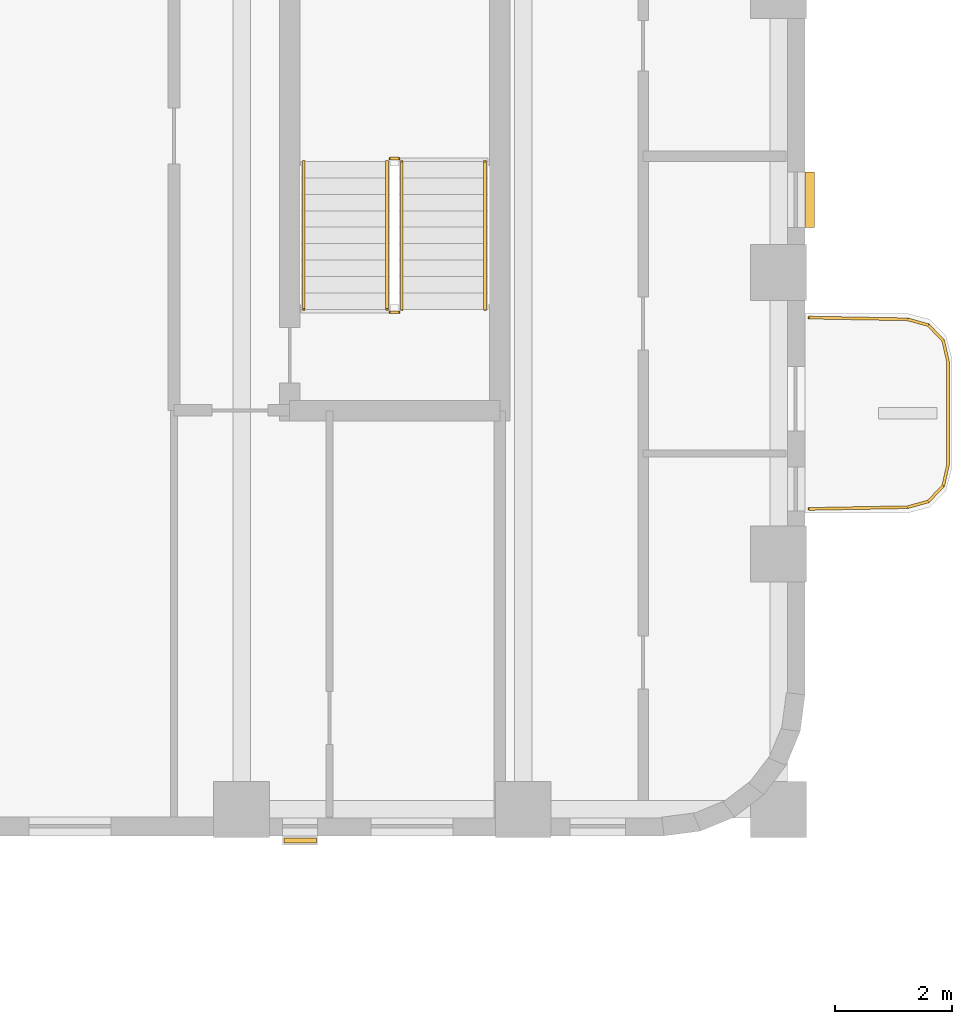
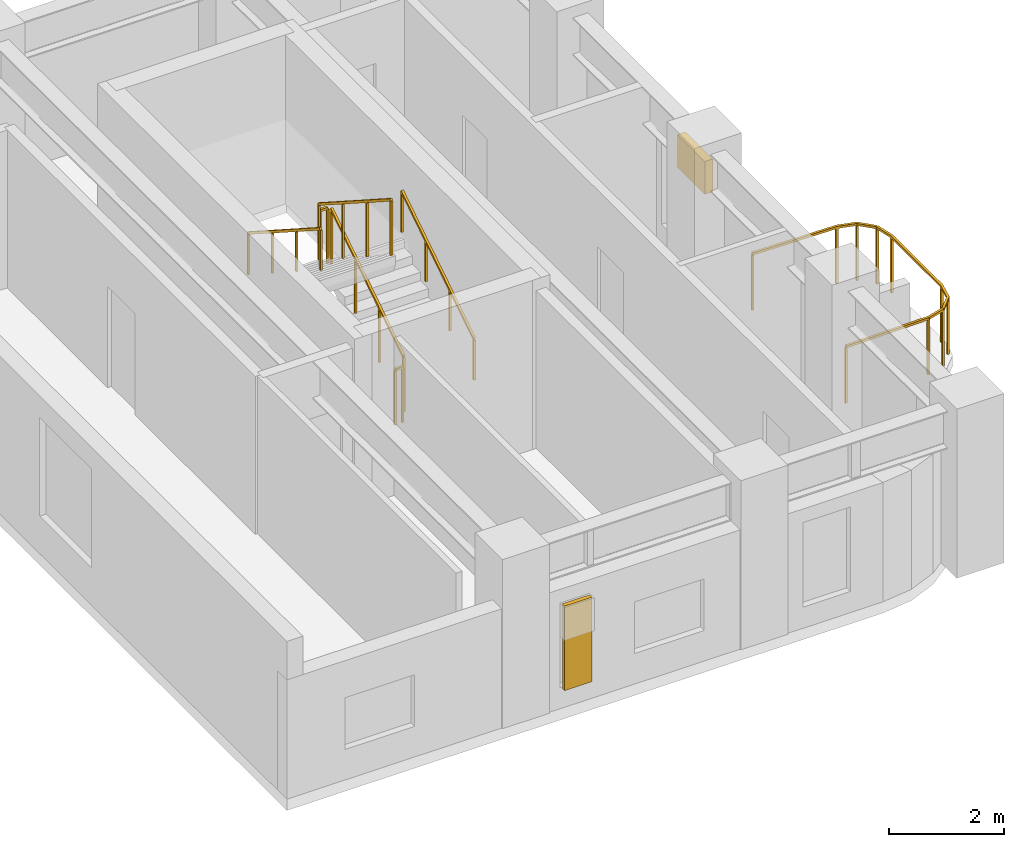
# One storey, part 8 of 9: 7 railings, 2 shading devices.
"""IFC4 building model written with IfcOpenShell, lengths in metres."""

import ifcopenshell
import ifcopenshell.guid

model = None  # the IFC model being written
_history = None  # IfcOwnerHistory: only IFC2X3 demands one
_inside = {}  # id of a spatial element -> (the spatial element, [elements in it])
_under = {}  # id of a project, library or spatial element -> (it, [spatial elements below it])
_declared = {}  # id of a project -> (the project, [libraries it declares])
_typed = {}  # id of a type object -> (the type object, [elements of that type])
_made_of = {}  # id of a material, layer set ... -> (it, [elements and type objects made of it])


def new_model(schema):
    """Start an empty IFC model of exactly this schema.

    Asked for "IFC4X3", IfcOpenShell would pick the latest addendum, in which some entities
    have other attributes; the version numbers below select the first issue.
    IFC2X3 requires an IfcOwnerHistory on every rooted entity: one is made here for all.
    """
    global model, _history
    if schema == "IFC4X3":
        model = ifcopenshell.file(schema_version=(4, 3, 0, 0))
    else:
        model = ifcopenshell.file(schema=schema)
    _inside.clear()
    _under.clear()
    _declared.clear()
    _typed.clear()
    _made_of.clear()
    _history = None
    if model.schema == "IFC2X3":
        org = make("IfcOrganization", Name="unknown")
        user = make(
            "IfcPersonAndOrganization",
            ThePerson=make("IfcPerson", FamilyName="unknown"),
            TheOrganization=org,
        )
        app = make(
            "IfcApplication",
            ApplicationDeveloper=org,
            Version="unknown",
            ApplicationFullName="unknown",
            ApplicationIdentifier="unknown",
        )
        _history = make(
            "IfcOwnerHistory",
            OwningUser=user,
            OwningApplication=app,
            ChangeAction="ADDED",
            CreationDate=0,
        )
    return model


def make(cls, **values):
    """One entity of the class cls with the attributes given. An attribute that is None is left unset."""
    return model.create_entity(
        cls, **{name: value for name, value in values.items() if value is not None}
    )


def rooted(cls, **values):
    """An entity with a GlobalId (a new one), such as an element, a storey or a relation."""
    return make(cls, GlobalId=ifcopenshell.guid.new(), OwnerHistory=_history, **values)


def si_unit(unit_type, name, prefix=None):
    """IfcSIUnit, for example si_unit("LENGTHUNIT", "METRE", prefix="MILLI")."""
    return make("IfcSIUnit", UnitType=unit_type, Prefix=prefix, Name=name)


def assignment(units):
    """IfcUnitAssignment: the units of a project."""
    return None if units is None else make("IfcUnitAssignment", Units=units)


def point(xyz):
    """IfcCartesianPoint."""
    return None if xyz is None else make("IfcCartesianPoint", Coordinates=xyz)


def direction(xyz):
    """IfcDirection."""
    return None if xyz is None else make("IfcDirection", DirectionRatios=xyz)


def frame(location, z_axis=None, x_axis=None):
    """IfcAxis2Placement3D, a coordinate frame: its origin and axes. An axis left out is left unset."""
    return make(
        "IfcAxis2Placement3D",
        Location=point(location),
        Axis=direction(z_axis),
        RefDirection=direction(x_axis),
    )


def frame_2d(location, x_axis=None):
    """IfcAxis2Placement2D, a coordinate frame in the plane: its origin and x axis."""
    return make(
        "IfcAxis2Placement2D", Location=point(location), RefDirection=direction(x_axis)
    )


def origin():
    """The frame at (0, 0, 0) with its axes left unset."""
    return frame((0.0, 0.0, 0.0))


def origin_2d():
    """The frame at (0, 0) in the plane with its x axis left unset."""
    return frame_2d((0.0, 0.0))


def place(relative_to, where):
    """IfcLocalPlacement: puts the frame where relative to a parent placement (None: the world)."""
    return make(
        "IfcLocalPlacement", PlacementRelTo=relative_to, RelativePlacement=where
    )


def context(
    kind, dimensions, precision=None, world=None, true_north=None, identifier=None
):
    """IfcGeometricRepresentationContext, for example the 3D "Model" context."""
    return make(
        "IfcGeometricRepresentationContext",
        ContextIdentifier=identifier,
        ContextType=kind,
        CoordinateSpaceDimension=dimensions,
        Precision=precision,
        WorldCoordinateSystem=world,
        TrueNorth=true_north,
    )


def subcontext(parent, identifier, kind, view, scale=None):
    """IfcGeometricRepresentationSubContext, for example "Body" below "Model"."""
    return make(
        "IfcGeometricRepresentationSubContext",
        ContextIdentifier=identifier,
        ContextType=kind,
        ParentContext=parent,
        TargetScale=scale,
        TargetView=view,
    )


def project(units=None, contexts=None):
    """IfcProject with its units and contexts."""
    return rooted(
        "IfcProject",
        Name="project",
        RepresentationContexts=contexts,
        UnitsInContext=assignment(units),
    )


def spatial(cls, under=None, at=None, **own):
    """A site, building, storey or space (cls), placed at a placement, below another one or the project."""
    s = rooted(cls, ObjectPlacement=at, **own)
    if under is not None:
        _under.setdefault(under.id(), (under, []))[1].append(s)
    return s


def profile(cls, at=None, kind="AREA", **sizes):
    """A parametric profile (cls). Its sizes go by their IFC names, for example OverallWidth=200.0."""
    return make(cls, ProfileType=kind, Position=at, **sizes)


def rectangle(**sizes):
    """IfcRectangleProfileDef."""
    return profile("IfcRectangleProfileDef", **sizes)


def extrude(swept, where, along, depth):
    """IfcExtrudedAreaSolid: the profile swept, set in the frame where, extruded along a direction by depth."""
    return make(
        "IfcExtrudedAreaSolid",
        SweptArea=swept,
        Position=where,
        ExtrudedDirection=direction(along),
        Depth=depth,
    )


def shape(context_of_items, identifier, shape_type, items):
    """IfcShapeRepresentation: the items that make up one representation, for example the "Body"."""
    return make(
        "IfcShapeRepresentation",
        ContextOfItems=context_of_items,
        RepresentationIdentifier=identifier,
        RepresentationType=shape_type,
        Items=items,
    )


def material(Name=None, Category=None):
    """IfcMaterial."""
    return make("IfcMaterial", Name=Name, Category=Category)


def made_of(thing, what):
    """Note that an element or type object is made of a material, layer set ...; save() writes the relation."""
    if what is not None:
        _made_of.setdefault(what.id(), (what, []))[1].append(thing)
    return thing


def type_object(cls, material=None, **own):
    """A type object (cls), such as IfcWallType, which elements share."""
    return made_of(rooted(cls, **own), material)


def element(
    cls,
    number,
    at=None,
    inside=None,
    cuts=None,
    type_object=None,
    material=None,
    context=None,
    identifier="Body",
    shape_type=None,
    held_by="IfcProductDefinitionShape",
    body=None,
    shapes=None,
    **own,
):
    """One element of the class cls, such as IfcWall. Its Tag is "e" and its number.

    at: its placement. inside: the storey or other place that contains it. cuts: it is an
    opening in that element (IfcRelVoidsElement). A single representation is given by context,
    identifier, shape_type and body (its items); several are given by shapes. held_by: the class
    of the entity that holds the representations. save() writes the other relations.
    """
    e = rooted(cls, Tag="e%d" % number, ObjectPlacement=at, **own)
    if body is not None:
        shapes = [shape(context, identifier, shape_type, body)]
    if shapes is not None:
        e.Representation = make(held_by, Representations=shapes)
    if inside is not None:
        _inside.setdefault(inside.id(), (inside, []))[1].append(e)
    if cuts is not None:
        rooted(
            "IfcRelVoidsElement", RelatingBuildingElement=cuts, RelatedOpeningElement=e
        )
    if type_object is not None:
        _typed.setdefault(type_object.id(), (type_object, []))[1].append(e)
    return made_of(e, material)


def aggregate(whole, parts):
    """IfcRelAggregates: a whole, such as a stair, and the parts it consists of."""
    return rooted("IfcRelAggregates", RelatingObject=whole, RelatedObjects=parts)


def save(model, path):
    """Write the relations noted so far, then the file.

    IfcRelAggregates (storeys below a building ...), IfcRelContainedInSpatialStructure (elements
    in a storey), IfcRelDefinesByType, IfcRelAssociatesMaterial and IfcRelDeclares: one each for
    every whole, place, type object, material and project.
    """
    for whole, parts in _under.values():
        aggregate(whole, parts)
    for where, things in _inside.values():
        rooted(
            "IfcRelContainedInSpatialStructure",
            RelatedElements=things,
            RelatingStructure=where,
        )
    for kind, things in _typed.values():
        rooted("IfcRelDefinesByType", RelatedObjects=things, RelatingType=kind)
    for what, things in _made_of.values():
        rooted("IfcRelAssociatesMaterial", RelatedObjects=things, RelatingMaterial=what)
    for by, libraries in _declared.values():
        rooted("IfcRelDeclares", RelatingContext=by, RelatedDefinitions=libraries)
    model.write(path)


model = new_model("IFC4")

# Units and contexts
model_context = context("Model", 3, precision=1e-05, world=origin(), true_north=direction((0.0, 1.0)))
body_context = subcontext(model_context, "Body", "Model", "MODEL_VIEW")
ifc_project = project(units=[si_unit("LENGTHUNIT", "METRE"), si_unit("AREAUNIT", "SQUARE_METRE"), si_unit("VOLUMEUNIT", "CUBIC_METRE"), si_unit("PLANEANGLEUNIT", "RADIAN"), si_unit("MASSUNIT", "GRAM", prefix="KILO")], contexts=[model_context])

# Site, building, storey
site_placement = place(None, origin())
site = spatial("IfcSite", under=ifc_project, at=site_placement, CompositionType="ELEMENT")
building_placement = place(site_placement, origin())
building = spatial("IfcBuilding", under=site, at=building_placement, Name="Orvandelia Arch Residences", CompositionType="ELEMENT")
storey_placement = place(building_placement, frame((0.0, 0.0, 186.39990234375)))
storey = spatial("IfcBuildingStorey", under=building, at=storey_placement, Name="L49", CompositionType="ELEMENT", Elevation=186.39990234375)

# Railings
ifc_material_1 = material(Name="Marine-Grade Stainless Steel 316", Category="steel")
railing_type_1 = type_object("IfcRailingType", Name="GRD-BAL-1200", PredefinedType="BALUSTRADE", material=ifc_material_1)
railing_1_placement = place(storey_placement, frame((52.871826171875, 34.36962890625, 0.0)))
element("IfcRailing", 1, at=railing_1_placement, inside=storey, type_object=railing_type_1, Name="Safety Balustrade Guard GRD-L49-BAL-L49-E1-1", PredefinedType="BALUSTRADE", context=body_context, shape_type="SweptSolid", body=[
    extrude(rectangle(XDim=0.048095703125, YDim=0.048095703125, at=origin_2d()), frame((0.0, 0.0, 1.19580078125), z_axis=(0.999837384468, 0.018033430643, 0.0), x_axis=(-0.018033430643, 0.999837384468, 0.0)), (0.0, 0.0, 1.0), 1.6787109375),
    extrude(rectangle(XDim=0.048095703125, YDim=0.048095703125, at=origin_2d()), frame((1.678466796875, 0.0302734375, 1.19580078125), z_axis=(0.96348920644, 0.267747173792, 0.0), x_axis=(-0.267747173792, 0.96348920644, 0.0)), (0.0, 0.0, 1.0), 0.36572265625),
    extrude(rectangle(XDim=0.048095703125, YDim=0.048095703125, at=origin_2d()), frame((2.03076171875, 0.128173828125, 1.19580078125), z_axis=(0.687947031175, 0.725760898848, 0.0), x_axis=(-0.725760898848, 0.687947031175, 0.0)), (0.0, 0.0, 1.0), 0.367919921875),
    extrude(rectangle(XDim=0.048095703125, YDim=0.048095703125, at=origin_2d()), frame((2.283935546875, 0.395263671875, 1.19580078125), z_axis=(0.221225034864, 0.975222786828, 0.0), x_axis=(-0.975222786828, 0.221225034864, 0.0)), (0.0, 0.0, 1.0), 0.373046875),
    extrude(rectangle(XDim=0.048095703125, YDim=0.048095703125, at=origin_2d()), frame((2.366455078125, 0.759033203125, 1.19580078125), z_axis=(0.0, 1.0, 0.0), x_axis=(-1.0, 0.0, 0.0)), (0.0, 0.0, 1.0), 1.74267578125),
    extrude(rectangle(XDim=0.048095703125, YDim=0.048095703125, at=origin_2d()), frame((2.366455078125, 2.501708984375, 1.19580078125), z_axis=(-0.221225034864, 0.975222786828, 0.0), x_axis=(-0.975222786828, -0.221225034864, 0.0)), (0.0, 0.0, 1.0), 0.373046875),
    extrude(rectangle(XDim=0.048095703125, YDim=0.048095703125, at=origin_2d()), frame((2.283935546875, 2.865478515625, 1.19580078125), z_axis=(-0.687947031175, 0.725760898848, 0.0), x_axis=(-0.725760898848, -0.687947031175, 0.0)), (0.0, 0.0, 1.0), 0.367919921875),
    extrude(rectangle(XDim=0.048095703125, YDim=0.048095703125, at=origin_2d()), frame((2.03076171875, 3.132568359375, 1.19580078125), z_axis=(-0.96348920644, 0.267747173792, 0.0), x_axis=(-0.267747173792, -0.96348920644, 0.0)), (0.0, 0.0, 1.0), 0.36572265625),
    extrude(rectangle(XDim=0.048095703125, YDim=0.048095703125, at=origin_2d()), frame((1.678466796875, 3.23046875, 1.19580078125), z_axis=(-0.999837384468, 0.018033430643, 0.0), x_axis=(-0.018033430643, -0.999837384468, 0.0)), (0.0, 0.0, 1.0), 1.6787109375),
    extrude(rectangle(XDim=0.0419921875, YDim=0.0419921875, at=origin_2d()), origin(), (0.0, 0.0, 1.0), 1.171875),
    extrude(rectangle(XDim=0.0419921875, YDim=0.0419921875, at=origin_2d()), frame((1.678466796875, 0.0302734375, 0.0)), (0.0, 0.0, 1.0), 1.171875),
    extrude(rectangle(XDim=0.0419921875, YDim=0.0419921875, at=origin_2d()), frame((2.03076171875, 0.128173828125, 0.0)), (0.0, 0.0, 1.0), 1.171875),
    extrude(rectangle(XDim=0.0419921875, YDim=0.0419921875, at=origin_2d()), frame((2.283935546875, 0.395263671875, 0.0)), (0.0, 0.0, 1.0), 1.171875),
    extrude(rectangle(XDim=0.0419921875, YDim=0.0419921875, at=origin_2d()), frame((2.366455078125, 0.759033203125, 0.0)), (0.0, 0.0, 1.0), 1.171875),
    extrude(rectangle(XDim=0.0419921875, YDim=0.0419921875, at=origin_2d()), frame((2.366455078125, 2.501708984375, 0.0)), (0.0, 0.0, 1.0), 1.171875),
    extrude(rectangle(XDim=0.0419921875, YDim=0.0419921875, at=origin_2d()), frame((2.283935546875, 2.865478515625, 0.0)), (0.0, 0.0, 1.0), 1.171875),
    extrude(rectangle(XDim=0.0419921875, YDim=0.0419921875, at=origin_2d()), frame((2.03076171875, 3.132568359375, 0.0)), (0.0, 0.0, 1.0), 1.171875),
    extrude(rectangle(XDim=0.0419921875, YDim=0.0419921875, at=origin_2d()), frame((1.678466796875, 3.23046875, 0.0)), (0.0, 0.0, 1.0), 1.171875),
    extrude(rectangle(XDim=0.0419921875, YDim=0.0419921875, at=origin_2d()), frame((0.0, 3.2607421875, 0.0)), (0.0, 0.0, 1.0), 1.171875),
])
ifc_material_2 = material(Name="Brushed Stainless Steel 304", Category="steel")
railing_type_2 = type_object("IfcRailingType", Name="RL-STAIR-GD1120", PredefinedType="GUARDRAIL", material=ifc_material_2)
railing_2_placement = place(storey_placement, frame((45.929931640625, 37.77001953125, 0.18017578125)))
element("IfcRailing", 2, at=railing_2_placement, inside=storey, type_object=railing_type_2, Name="L49 ST-3 stair guard 1", PredefinedType="GUARDRAIL", context=body_context, shape_type="SweptSolid", body=[
    extrude(rectangle(XDim=0.048095703125, YDim=0.048095703125, at=origin_2d()), frame((0.0, 0.0, 1.17578125), z_axis=(0.0, 0.841199657755, 0.540724639528), x_axis=(-1.0, 0.0, 0.0)), (0.0, 0.0, 1.0), 2.995849609375),
    extrude(rectangle(XDim=0.0419921875, YDim=0.0419921875, at=origin_2d()), origin(), (0.0, 0.0, 1.0), 1.15185546875),
    extrude(rectangle(XDim=0.0419921875, YDim=0.0419921875, at=origin_2d()), frame((0.0, 0.840087890625, 0.5400390625)), (0.0, 0.0, 1.0), 1.15185546875),
    extrude(rectangle(XDim=0.0419921875, YDim=0.0419921875, at=origin_2d()), frame((0.0, 1.679931640625, 1.079833984375)), (0.0, 0.0, 1.0), 1.15185546875),
    extrude(rectangle(XDim=0.0419921875, YDim=0.0419921875, at=origin_2d()), frame((0.0, 2.52001953125, 1.619873046875)), (0.0, 0.0, 1.0), 1.15185546875),
])
railing_3_placement = place(storey_placement, frame((45.8798828125, 40.340087890625, 1.800048828125)))
element("IfcRailing", 3, at=railing_3_placement, inside=storey, type_object=railing_type_2, Name="L49 ST-3 stair guard 2", PredefinedType="GUARDRAIL", context=body_context, shape_type="SweptSolid", body=[
    extrude(rectangle(XDim=0.048095703125, YDim=0.048095703125, at=origin_2d()), frame((0.0, 0.0, 1.17578125), z_axis=(-1.0, 0.0, 0.0), x_axis=(0.0, -1.0, 0.0)), (0.0, 0.0, 1.0), 0.14990234375),
    extrude(rectangle(XDim=0.0419921875, YDim=0.0419921875, at=origin_2d()), origin(), (0.0, 0.0, 1.0), 1.15185546875),
    extrude(rectangle(XDim=0.0419921875, YDim=0.0419921875, at=origin_2d()), frame((-0.14990234375, 0.0, 0.0)), (0.0, 0.0, 1.0), 1.15185546875),
])
railing_4_placement = place(storey_placement, frame((45.679931640625, 40.2900390625, 1.97998046875)))
element("IfcRailing", 4, at=railing_4_placement, inside=storey, type_object=railing_type_2, Name="L49 ST-3 stair guard 3", PredefinedType="GUARDRAIL", context=body_context, shape_type="SweptSolid", body=[
    extrude(rectangle(XDim=0.048095703125, YDim=0.048095703125, at=origin_2d()), frame((0.0, 0.0, 1.17578125), z_axis=(0.0, -0.841162588446, 0.540782303519), x_axis=(1.0, 0.0, 0.0)), (0.0, 0.0, 1.0), 2.995849609375),
    extrude(rectangle(XDim=0.0419921875, YDim=0.0419921875, at=origin_2d()), origin(), (0.0, 0.0, 1.0), 1.15185546875),
    extrude(rectangle(XDim=0.0419921875, YDim=0.0419921875, at=origin_2d()), frame((0.0, -0.840087890625, 0.5400390625)), (0.0, 0.0, 1.0), 1.15185546875),
    extrude(rectangle(XDim=0.0419921875, YDim=0.0419921875, at=origin_2d()), frame((0.0, -1.679931640625, 1.080078125)), (0.0, 0.0, 1.0), 1.15185546875),
    extrude(rectangle(XDim=0.0419921875, YDim=0.0419921875, at=origin_2d()), frame((0.0, -2.52001953125, 1.6201171875)), (0.0, 0.0, 1.0), 1.15185546875),
])
railing_5_placement = place(storey_placement, frame((45.8798828125, 37.719970703125, 0.0)))
element("IfcRailing", 5, at=railing_5_placement, inside=storey, type_object=railing_type_2, Name="L49 ST-3 stair guard 4", PredefinedType="GUARDRAIL", context=body_context, shape_type="SweptSolid", body=[
    extrude(rectangle(XDim=0.048095703125, YDim=0.048095703125, at=origin_2d()), frame((0.0, 0.0, 1.17578125), z_axis=(-1.0, 0.0, 0.0), x_axis=(0.0, -1.0, 0.0)), (0.0, 0.0, 1.0), 0.14990234375),
    extrude(rectangle(XDim=0.0419921875, YDim=0.0419921875, at=origin_2d()), origin(), (0.0, 0.0, 1.0), 1.15185546875),
    extrude(rectangle(XDim=0.0419921875, YDim=0.0419921875, at=origin_2d()), frame((-0.14990234375, 0.0, 0.0)), (0.0, 0.0, 1.0), 1.15185546875),
])
railing_type_3 = type_object("IfcRailingType", Name="RL-STAIR-HR920", PredefinedType="HANDRAIL", material=ifc_material_2)
railing_6_placement = place(storey_placement, frame((47.35009765625, 37.77001953125, 0.360107421875)))
element("IfcRailing", 6, at=railing_6_placement, inside=storey, type_object=railing_type_3, Name="L49 ST-3 stair handrail 1", PredefinedType="HANDRAIL", context=body_context, shape_type="SweptSolid", body=[
    extrude(rectangle(XDim=0.048095703125, YDim=0.048095703125, at=origin_2d()), frame((0.0, 0.0, 0.8759765625), z_axis=(0.0, 0.841199657755, 0.540724639528), x_axis=(-1.0, 0.0, 0.0)), (0.0, 0.0, 1.0), 2.995849609375),
    extrude(rectangle(XDim=0.0419921875, YDim=0.0419921875, at=origin_2d()), origin(), (0.0, 0.0, 1.0), 0.851806640625),
    extrude(rectangle(XDim=0.0419921875, YDim=0.0419921875, at=origin_2d()), frame((0.0, 0.840087890625, 0.5400390625)), (0.0, 0.0, 1.0), 0.851806640625),
    extrude(rectangle(XDim=0.0419921875, YDim=0.0419921875, at=origin_2d()), frame((0.0, 1.679931640625, 1.079833984375)), (0.0, 0.0, 1.0), 0.851806640625),
    extrude(rectangle(XDim=0.0419921875, YDim=0.0419921875, at=origin_2d()), frame((0.0, 2.52001953125, 1.619873046875)), (0.0, 0.0, 1.0), 0.851806640625),
])
railing_7_placement = place(storey_placement, frame((44.260009765625, 40.2900390625, 2.16015625)))
element("IfcRailing", 7, at=railing_7_placement, inside=storey, type_object=railing_type_3, Name="L49 ST-3 stair handrail 2", PredefinedType="HANDRAIL", context=body_context, shape_type="SweptSolid", body=[
    extrude(rectangle(XDim=0.048095703125, YDim=0.048095703125, at=origin_2d()), frame((0.0, 0.0, 0.8759765625), z_axis=(0.0, -0.841199657755, 0.540724639528), x_axis=(1.0, 0.0, 0.0)), (0.0, 0.0, 1.0), 2.995849609375),
    extrude(rectangle(XDim=0.0419921875, YDim=0.0419921875, at=origin_2d()), origin(), (0.0, 0.0, 1.0), 0.851806640625),
    extrude(rectangle(XDim=0.0419921875, YDim=0.0419921875, at=origin_2d()), frame((0.0, -0.840087890625, 0.5400390625)), (0.0, 0.0, 1.0), 0.851806640625),
    extrude(rectangle(XDim=0.0419921875, YDim=0.0419921875, at=origin_2d()), frame((0.0, -1.679931640625, 1.079833984375)), (0.0, 0.0, 1.0), 0.851806640625),
    extrude(rectangle(XDim=0.0419921875, YDim=0.0419921875, at=origin_2d()), frame((0.0, -2.52001953125, 1.619873046875)), (0.0, 0.0, 1.0), 0.851806640625),
])

# Shading devices
ifc_material_3 = material(Name="Anodised Champagne-Bronze Extruded Aluminium", Category="aluminium")
shading_device_type_1 = type_object("IfcShadingDeviceType", Name="SHD-JALOUSIE-SCREEN", PredefinedType="JALOUSIE", material=ifc_material_3)
shading_device_1_placement = place(storey_placement, frame((52.8798828125, 39.638916015625, 1.55029296875), z_axis=(0.0, 0.0, 1.0), x_axis=(0.0, -1.0, 0.0)))
element("IfcShadingDevice", 8, at=shading_device_1_placement, inside=storey, type_object=shading_device_type_1, Name="Bronze Jalousie Sun-Shade L49-002", PredefinedType="JALOUSIE", context=body_context, shape_type="SweptSolid", body=[
    extrude(rectangle(XDim=0.949951171875, YDim=0.159912109375, at=origin_2d()), origin(), (0.0, 0.0, 1.0), 0.699951171875),
])
ifc_material_4 = material(Name="Marine-Grade Perforated Aluminium Storm Shutter", Category="aluminium")
shading_device_type_2 = type_object("IfcShadingDeviceType", Name="SHD-STORM-SHUTTER", PredefinedType="SHUTTER", material=ifc_material_4)
shading_device_2_placement = place(storey_placement, frame((44.197509765625, 28.719970703125, 0.4501953125), z_axis=(0.0, 0.0, 1.0), x_axis=(-1.0, 0.0, 0.0)))
element("IfcShadingDevice", 9, at=shading_device_2_placement, inside=storey, type_object=shading_device_type_2, Name="Operable Typhoon Storm Shutter L49-003", PredefinedType="SHUTTER", context=body_context, shape_type="SweptSolid", body=[
    extrude(rectangle(XDim=0.550048828125, YDim=0.080078125, at=origin_2d()), origin(), (0.0, 0.0, 1.0), 1.800048828125),
])

save(model, "model.ifc")
